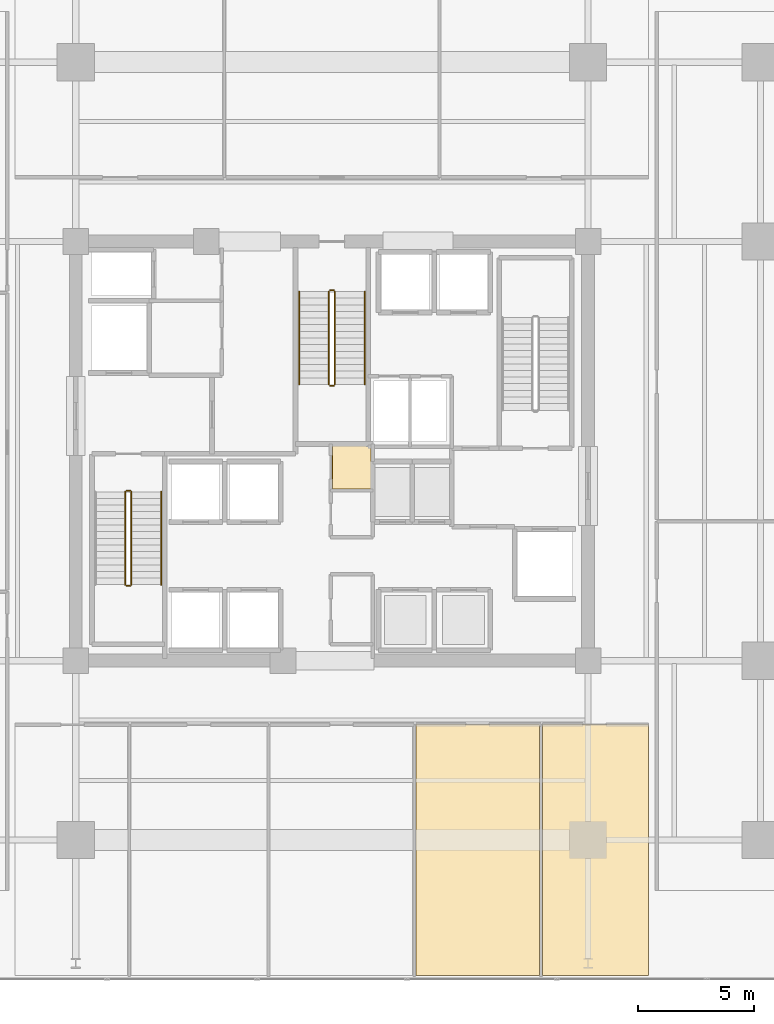
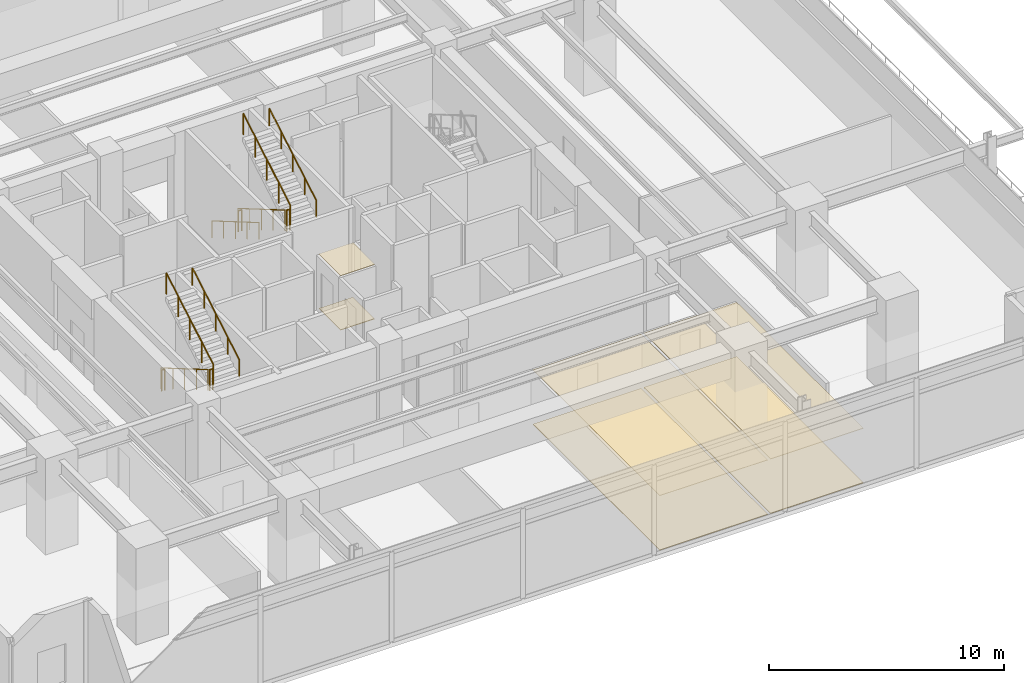
# One storey, part 21 of 24: 11 railings, 6 coverings.
"""IFC4 building model written with IfcOpenShell, lengths in metres."""

from ifc_helpers import new_model, si_unit, direction, frame, origin, origin_2d, place, context, subcontext, project, spatial, polyline, circle, outline, extrude, material, layer, layer_set, type_object, element, save


model = new_model("IFC4")

# Units and contexts
model_context = context("Model", 3, precision=1e-05, world=origin(), true_north=direction((0.0, 1.0)))
body_context = subcontext(model_context, "Body", "Model", "MODEL_VIEW")
ifc_project = project(units=[si_unit("LENGTHUNIT", "METRE"), si_unit("AREAUNIT", "SQUARE_METRE"), si_unit("VOLUMEUNIT", "CUBIC_METRE"), si_unit("PLANEANGLEUNIT", "RADIAN"), si_unit("MASSUNIT", "GRAM", prefix="KILO")], contexts=[model_context])

# Site, building, storey
site_placement = place(None, origin())
site = spatial("IfcSite", under=ifc_project, at=site_placement, CompositionType="ELEMENT")
building_placement = place(site_placement, origin())
building = spatial("IfcBuilding", under=site, at=building_placement, Name="Kovane Verandah Tower", CompositionType="ELEMENT")
storey_placement = place(building_placement, frame((0.0, 0.0, 118.39990234375)))
storey = spatial("IfcBuildingStorey", under=building, at=storey_placement, Name="L27", CompositionType="ELEMENT", Elevation=118.39990234375)

# Coverings
ifc_material_1 = material(Name="Perforated Acoustic Mineral-Fibre Ceiling Tile", Category="gypsum")
ifc_layer_1 = layer(ifc_material_1, 0.02490234375)
ifc_layer_set_1 = layer_set([ifc_layer_1], Name="Perforated Acoustic Mineral-Fibre Ceiling Tile")
covering_type_1 = type_object("IfcCoveringType", Name="CV-CEIL-25", PredefinedType="CEILING", material=ifc_layer_set_1)
covering_1_placement = place(storey_placement, frame((0.0, 0.0, 2.8251953125)))
element("IfcCovering", 1, at=covering_1_placement, inside=storey, type_object=covering_type_1, Name="L27 Central First Aid and Wellness Room Acoustic Ceiling", PredefinedType="CEILING", context=body_context, shape_type="SweptSolid", body=[
    extrude(outline(polyline([(40.0048828125, 25.864990234375), (41.695068359375, 25.864990234375), (41.695068359375, 27.735107421875), (40.0048828125, 27.735107421875), (40.0048828125, 25.864990234375)])), origin(), (0.0, 0.0, 1.0), 0.02490234375),
])
covering_2_placement = place(storey_placement, frame((0.0, 0.0, 2.8251953125)))
element("IfcCovering", 2, at=covering_2_placement, inside=storey, type_object=covering_type_1, Name="L27 Collaboration Hub S4 Acoustic Ceiling", PredefinedType="CEILING", context=body_context, shape_type="SweptSolid", body=[
    extrude(outline(polyline([(43.60595703125, 4.97900390625), (48.906005859375, 4.97900390625), (48.906005859375, 15.75), (43.60595703125, 15.75), (43.60595703125, 4.97900390625)])), origin(), (0.0, 0.0, 1.0), 0.02490234375),
])
covering_3_placement = place(storey_placement, frame((0.0, 0.0, 2.8251953125)))
element("IfcCovering", 3, at=covering_3_placement, inside=storey, type_object=covering_type_1, Name="L27 Document and Print Room S5 Acoustic Ceiling", PredefinedType="CEILING", context=body_context, shape_type="SweptSolid", body=[
    extrude(outline(polyline([(49.0458984375, 4.97900390625), (53.60009765625, 4.97900390625), (53.60009765625, 15.75), (49.0458984375, 15.75), (49.0458984375, 4.97900390625)])), origin(), (0.0, 0.0, 1.0), 0.02490234375),
])
ifc_material_2 = material(Name="Polished Terrazzo and Raised-Access Carpet Tile Finish", Category="concrete")
ifc_layer_2 = layer(ifc_material_2, 0.030029296875)
ifc_layer_set_2 = layer_set([ifc_layer_2], Name="Polished Terrazzo and Raised-Access Carpet Tile Finish")
covering_type_2 = type_object("IfcCoveringType", Name="CV-FLOR-30", PredefinedType="FLOORING", material=ifc_layer_set_2)
covering_4_placement = place(storey_placement, origin())
element("IfcCovering", 4, at=covering_4_placement, inside=storey, type_object=covering_type_2, Name="L27 Central First Aid and Wellness Room Floor Finish", PredefinedType="FLOORING", context=body_context, shape_type="SweptSolid", body=[
    extrude(outline(polyline([(40.02001953125, 25.8798828125), (41.679931640625, 25.8798828125), (41.679931640625, 27.719970703125), (40.02001953125, 27.719970703125), (40.02001953125, 25.8798828125)])), origin(), (0.0, 0.0, 1.0), 0.030029296875),
])
covering_5_placement = place(storey_placement, origin())
element("IfcCovering", 5, at=covering_5_placement, inside=storey, type_object=covering_type_2, Name="L27 Collaboration Hub S4 Floor Finish", PredefinedType="FLOORING", context=body_context, shape_type="SweptSolid", body=[
    extrude(outline(polyline([(43.60595703125, 4.97900390625), (48.906005859375, 4.97900390625), (48.906005859375, 15.75), (43.60595703125, 15.75), (43.60595703125, 4.97900390625)])), origin(), (0.0, 0.0, 1.0), 0.030029296875),
])
covering_6_placement = place(storey_placement, origin())
element("IfcCovering", 6, at=covering_6_placement, inside=storey, type_object=covering_type_2, Name="L27 Document and Print Room S5 Floor Finish", PredefinedType="FLOORING", context=body_context, shape_type="SweptSolid", body=[
    extrude(outline(polyline([(49.0458984375, 4.97900390625), (53.60009765625, 4.97900390625), (53.60009765625, 15.75), (49.0458984375, 15.75), (49.0458984375, 4.97900390625)])), origin(), (0.0, 0.0, 1.0), 0.030029296875),
])

# Railings
ifc_material_3 = material(Name="Brushed Stainless Steel Handrail", Category="steel")
railing_type_1 = type_object("IfcRailingType", Name="RL-HAND-920", PredefinedType="HANDRAIL", material=ifc_material_3)
railing_1_placement = place(storey_placement, frame((32.669921875, 21.760009765625, 2.666748046875)))
element("IfcRailing", 7, at=railing_1_placement, inside=storey, type_object=railing_type_1, Name="L27 ST-01 stair handrail 2", PredefinedType="HANDRAIL", context=body_context, shape_type="SweptSolid", body=[
    extrude(circle(Radius=0.02392578125, at=origin_2d()), frame((0.0, 0.0, 0.8759765625), z_axis=(0.0, 0.863236243904, 0.504800145811), x_axis=(-1.0, 0.0, 0.0)), (0.0, 0.0, 1.0), 4.6220703125),
    extrude(circle(Radius=0.02099609375, at=origin_2d()), origin(), (0.0, 0.0, 1.0), 0.851806640625),
    extrude(circle(Radius=0.02099609375, at=origin_2d()), frame((0.0, 0.99755859375, 0.583251953125)), (0.0, 0.0, 1.0), 0.851806640625),
    extrude(circle(Radius=0.02099609375, at=origin_2d()), frame((0.0, 1.9951171875, 1.16650390625)), (0.0, 0.0, 1.0), 0.851806640625),
    extrude(circle(Radius=0.02099609375, at=origin_2d()), frame((0.0, 2.992431640625, 1.75)), (0.0, 0.0, 1.0), 0.851806640625),
    extrude(circle(Radius=0.02099609375, at=origin_2d()), frame((0.0, 3.989990234375, 2.333251953125)), (0.0, 0.0, 1.0), 0.851806640625),
])
railing_2_placement = place(storey_placement, frame((38.590087890625, 34.35009765625, 0.166748046875)))
element("IfcRailing", 8, at=railing_2_placement, inside=storey, type_object=railing_type_1, Name="L27 ST-03 stair handrail 1", PredefinedType="HANDRAIL", context=body_context, shape_type="SweptSolid", body=[
    extrude(circle(Radius=0.02392578125, at=origin_2d()), frame((0.0, 0.0, 0.8759765625), z_axis=(0.0, -0.863236243904, 0.504800145811), x_axis=(1.0, 0.0, 0.0)), (0.0, 0.0, 1.0), 4.6220703125),
    extrude(circle(Radius=0.02099609375, at=origin_2d()), origin(), (0.0, 0.0, 1.0), 0.851806640625),
    extrude(circle(Radius=0.02099609375, at=origin_2d()), frame((0.0, -0.99755859375, 0.583251953125)), (0.0, 0.0, 1.0), 0.851806640625),
    extrude(circle(Radius=0.02099609375, at=origin_2d()), frame((0.0, -1.9951171875, 1.16650390625)), (0.0, 0.0, 1.0), 0.851806640625),
    extrude(circle(Radius=0.02099609375, at=origin_2d()), frame((0.0, -2.992431640625, 1.75)), (0.0, 0.0, 1.0), 0.851806640625),
    extrude(circle(Radius=0.02099609375, at=origin_2d()), frame((0.0, -3.989990234375, 2.333251953125)), (0.0, 0.0, 1.0), 0.851806640625),
])
railing_3_placement = place(storey_placement, frame((41.409912109375, 30.360107421875, 2.666748046875)))
element("IfcRailing", 9, at=railing_3_placement, inside=storey, type_object=railing_type_1, Name="L27 ST-03 stair handrail 2", PredefinedType="HANDRAIL", context=body_context, shape_type="SweptSolid", body=[
    extrude(circle(Radius=0.02392578125, at=origin_2d()), frame((0.0, 0.0, 0.8759765625), z_axis=(0.0, 0.863236243904, 0.504800145811), x_axis=(-1.0, 0.0, 0.0)), (0.0, 0.0, 1.0), 4.6220703125),
    extrude(circle(Radius=0.02099609375, at=origin_2d()), origin(), (0.0, 0.0, 1.0), 0.851806640625),
    extrude(circle(Radius=0.02099609375, at=origin_2d()), frame((0.0, 0.99755859375, 0.583251953125)), (0.0, 0.0, 1.0), 0.851806640625),
    extrude(circle(Radius=0.02099609375, at=origin_2d()), frame((0.0, 1.9951171875, 1.16650390625)), (0.0, 0.0, 1.0), 0.851806640625),
    extrude(circle(Radius=0.02099609375, at=origin_2d()), frame((0.0, 2.992431640625, 1.75)), (0.0, 0.0, 1.0), 0.851806640625),
    extrude(circle(Radius=0.02099609375, at=origin_2d()), frame((0.0, 3.989990234375, 2.333251953125)), (0.0, 0.0, 1.0), 0.851806640625),
])
ifc_material_4 = material(Name="Painted Steel Stairwell Guardrail", Category="steel")
railing_type_2 = type_object("IfcRailingType", Name="RL-STGUARD-1120", PredefinedType="GUARDRAIL", material=ifc_material_4)
railing_4_placement = place(storey_placement, frame((31.1298828125, 25.75, 0.166748046875)))
element("IfcRailing", 10, at=railing_4_placement, inside=storey, type_object=railing_type_2, Name="L27 ST-01 stair guard 1", PredefinedType="GUARDRAIL", context=body_context, shape_type="SweptSolid", body=[
    extrude(circle(Radius=0.02392578125, at=origin_2d()), frame((0.0, 0.0, 1.076171875), z_axis=(0.0, -0.863236243904, 0.504800145811), x_axis=(1.0, 0.0, 0.0)), (0.0, 0.0, 1.0), 4.6220703125),
    extrude(circle(Radius=0.02099609375, at=origin_2d()), origin(), (0.0, 0.0, 1.0), 1.052001953125),
    extrude(circle(Radius=0.02099609375, at=origin_2d()), frame((0.0, -0.99755859375, 0.583251953125)), (0.0, 0.0, 1.0), 1.052001953125),
    extrude(circle(Radius=0.02099609375, at=origin_2d()), frame((0.0, -1.9951171875, 1.16650390625)), (0.0, 0.0, 1.0), 1.052001953125),
    extrude(circle(Radius=0.02099609375, at=origin_2d()), frame((0.0, -2.992431640625, 1.75)), (0.0, 0.0, 1.0), 1.052001953125),
    extrude(circle(Radius=0.02099609375, at=origin_2d()), frame((0.0, -3.989990234375, 2.333251953125)), (0.0, 0.0, 1.0), 1.052001953125),
])
railing_5_placement = place(storey_placement, frame((31.179931640625, 21.7099609375, 2.5)))
element("IfcRailing", 11, at=railing_5_placement, inside=storey, type_object=railing_type_2, Name="L27 ST-01 stair guard 2", PredefinedType="GUARDRAIL", context=body_context, shape_type="SweptSolid", body=[
    extrude(circle(Radius=0.02392578125, at=origin_2d()), frame((0.0, 0.0, 1.076171875), z_axis=(1.0, 0.0, 0.0), x_axis=(0.0, 1.0, 0.0)), (0.0, 0.0, 1.0), 0.16015625),
    extrude(circle(Radius=0.02099609375, at=origin_2d()), origin(), (0.0, 0.0, 1.0), 1.052001953125),
    extrude(circle(Radius=0.02099609375, at=origin_2d()), frame((0.16015625, 0.0, 0.0)), (0.0, 0.0, 1.0), 1.052001953125),
])
railing_6_placement = place(storey_placement, frame((31.389892578125, 21.760009765625, 2.666748046875)))
element("IfcRailing", 12, at=railing_6_placement, inside=storey, type_object=railing_type_2, Name="L27 ST-01 stair guard 3", PredefinedType="GUARDRAIL", context=body_context, shape_type="SweptSolid", body=[
    extrude(circle(Radius=0.02392578125, at=origin_2d()), frame((0.0, 0.0, 1.076171875), z_axis=(0.0, 0.863236243904, 0.504800145811), x_axis=(-1.0, 0.0, 0.0)), (0.0, 0.0, 1.0), 4.6220703125),
    extrude(circle(Radius=0.02099609375, at=origin_2d()), origin(), (0.0, 0.0, 1.0), 1.052001953125),
    extrude(circle(Radius=0.02099609375, at=origin_2d()), frame((0.0, 0.99755859375, 0.583251953125)), (0.0, 0.0, 1.0), 1.052001953125),
    extrude(circle(Radius=0.02099609375, at=origin_2d()), frame((0.0, 1.9951171875, 1.16650390625)), (0.0, 0.0, 1.0), 1.052001953125),
    extrude(circle(Radius=0.02099609375, at=origin_2d()), frame((0.0, 2.992431640625, 1.75)), (0.0, 0.0, 1.0), 1.052001953125),
    extrude(circle(Radius=0.02099609375, at=origin_2d()), frame((0.0, 3.989990234375, 2.333251953125)), (0.0, 0.0, 1.0), 1.052001953125),
])
railing_7_placement = place(storey_placement, frame((31.179931640625, 25.800048828125, 0.0)))
element("IfcRailing", 13, at=railing_7_placement, inside=storey, type_object=railing_type_2, Name="L27 ST-01 stair guard 4", PredefinedType="GUARDRAIL", context=body_context, shape_type="SweptSolid", body=[
    extrude(circle(Radius=0.02392578125, at=origin_2d()), frame((0.0, 0.0, 1.076171875), z_axis=(1.0, 0.0, 0.0), x_axis=(0.0, 1.0, 0.0)), (0.0, 0.0, 1.0), 0.16015625),
    extrude(circle(Radius=0.02099609375, at=origin_2d()), origin(), (0.0, 0.0, 1.0), 1.052001953125),
    extrude(circle(Radius=0.02099609375, at=origin_2d()), frame((0.16015625, 0.0, 0.0)), (0.0, 0.0, 1.0), 1.052001953125),
])
railing_8_placement = place(storey_placement, frame((39.8701171875, 34.35009765625, 0.166748046875)))
element("IfcRailing", 14, at=railing_8_placement, inside=storey, type_object=railing_type_2, Name="L27 ST-03 stair guard 1", PredefinedType="GUARDRAIL", context=body_context, shape_type="SweptSolid", body=[
    extrude(circle(Radius=0.02392578125, at=origin_2d()), frame((0.0, 0.0, 1.076171875), z_axis=(0.0, -0.863236243904, 0.504800145811), x_axis=(1.0, 0.0, 0.0)), (0.0, 0.0, 1.0), 4.6220703125),
    extrude(circle(Radius=0.02099609375, at=origin_2d()), origin(), (0.0, 0.0, 1.0), 1.052001953125),
    extrude(circle(Radius=0.02099609375, at=origin_2d()), frame((0.0, -0.99755859375, 0.583251953125)), (0.0, 0.0, 1.0), 1.052001953125),
    extrude(circle(Radius=0.02099609375, at=origin_2d()), frame((0.0, -1.9951171875, 1.16650390625)), (0.0, 0.0, 1.0), 1.052001953125),
    extrude(circle(Radius=0.02099609375, at=origin_2d()), frame((0.0, -2.992431640625, 1.75)), (0.0, 0.0, 1.0), 1.052001953125),
    extrude(circle(Radius=0.02099609375, at=origin_2d()), frame((0.0, -3.989990234375, 2.333251953125)), (0.0, 0.0, 1.0), 1.052001953125),
])
railing_9_placement = place(storey_placement, frame((39.919921875, 30.31005859375, 2.5)))
element("IfcRailing", 15, at=railing_9_placement, inside=storey, type_object=railing_type_2, Name="L27 ST-03 stair guard 2", PredefinedType="GUARDRAIL", context=body_context, shape_type="SweptSolid", body=[
    extrude(circle(Radius=0.02392578125, at=origin_2d()), frame((0.0, 0.0, 1.076171875), z_axis=(1.0, 0.0, 0.0), x_axis=(0.0, 1.0, 0.0)), (0.0, 0.0, 1.0), 0.16015625),
    extrude(circle(Radius=0.02099609375, at=origin_2d()), origin(), (0.0, 0.0, 1.0), 1.052001953125),
    extrude(circle(Radius=0.02099609375, at=origin_2d()), frame((0.16015625, 0.0, 0.0)), (0.0, 0.0, 1.0), 1.052001953125),
])
railing_10_placement = place(storey_placement, frame((40.1298828125, 30.360107421875, 2.666748046875)))
element("IfcRailing", 16, at=railing_10_placement, inside=storey, type_object=railing_type_2, Name="L27 ST-03 stair guard 3", PredefinedType="GUARDRAIL", context=body_context, shape_type="SweptSolid", body=[
    extrude(circle(Radius=0.02392578125, at=origin_2d()), frame((0.0, 0.0, 1.076171875), z_axis=(0.0, 0.863236243904, 0.504800145811), x_axis=(-1.0, 0.0, 0.0)), (0.0, 0.0, 1.0), 4.6220703125),
    extrude(circle(Radius=0.02099609375, at=origin_2d()), origin(), (0.0, 0.0, 1.0), 1.052001953125),
    extrude(circle(Radius=0.02099609375, at=origin_2d()), frame((0.0, 0.99755859375, 0.583251953125)), (0.0, 0.0, 1.0), 1.052001953125),
    extrude(circle(Radius=0.02099609375, at=origin_2d()), frame((0.0, 1.9951171875, 1.16650390625)), (0.0, 0.0, 1.0), 1.052001953125),
    extrude(circle(Radius=0.02099609375, at=origin_2d()), frame((0.0, 2.992431640625, 1.75)), (0.0, 0.0, 1.0), 1.052001953125),
    extrude(circle(Radius=0.02099609375, at=origin_2d()), frame((0.0, 3.989990234375, 2.333251953125)), (0.0, 0.0, 1.0), 1.052001953125),
])
railing_11_placement = place(storey_placement, frame((39.919921875, 34.39990234375, 0.0)))
element("IfcRailing", 17, at=railing_11_placement, inside=storey, type_object=railing_type_2, Name="L27 ST-03 stair guard 4", PredefinedType="GUARDRAIL", context=body_context, shape_type="SweptSolid", body=[
    extrude(circle(Radius=0.02392578125, at=origin_2d()), frame((0.0, 0.0, 1.076171875), z_axis=(1.0, 0.0, 0.0), x_axis=(0.0, 1.0, 0.0)), (0.0, 0.0, 1.0), 0.16015625),
    extrude(circle(Radius=0.02099609375, at=origin_2d()), origin(), (0.0, 0.0, 1.0), 1.052001953125),
    extrude(circle(Radius=0.02099609375, at=origin_2d()), frame((0.16015625, 0.0, 0.0)), (0.0, 0.0, 1.0), 1.052001953125),
])

save(model, "model.ifc")
